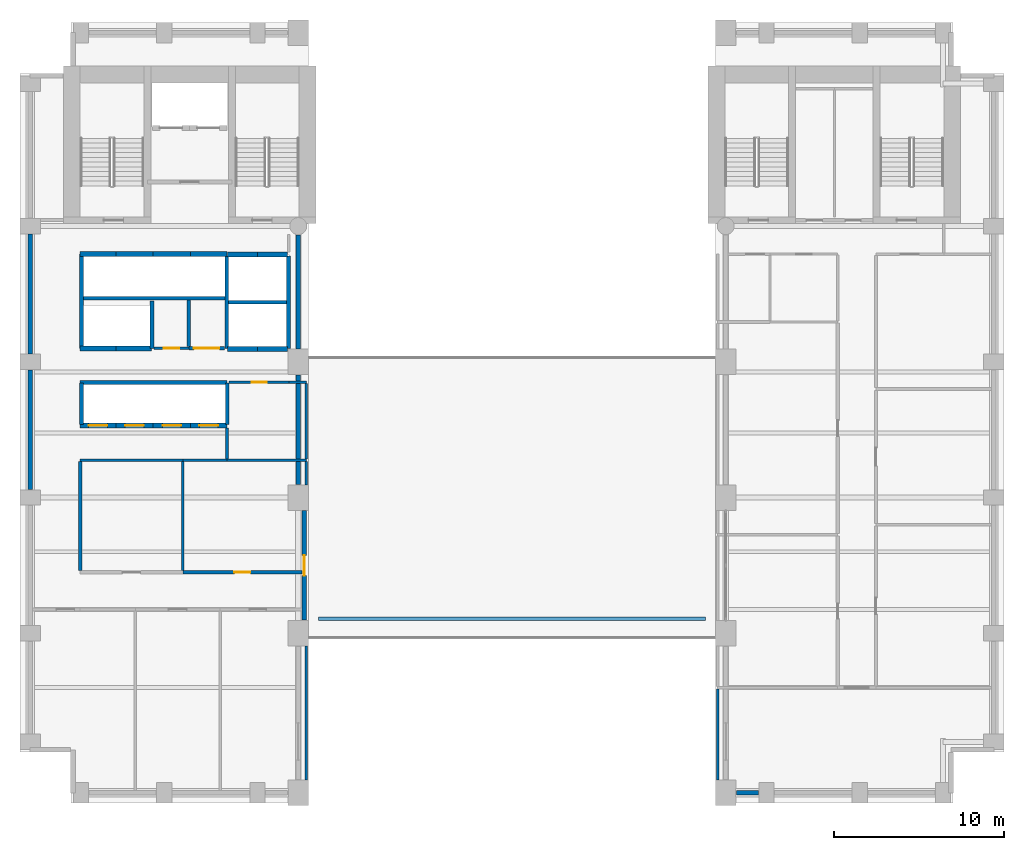
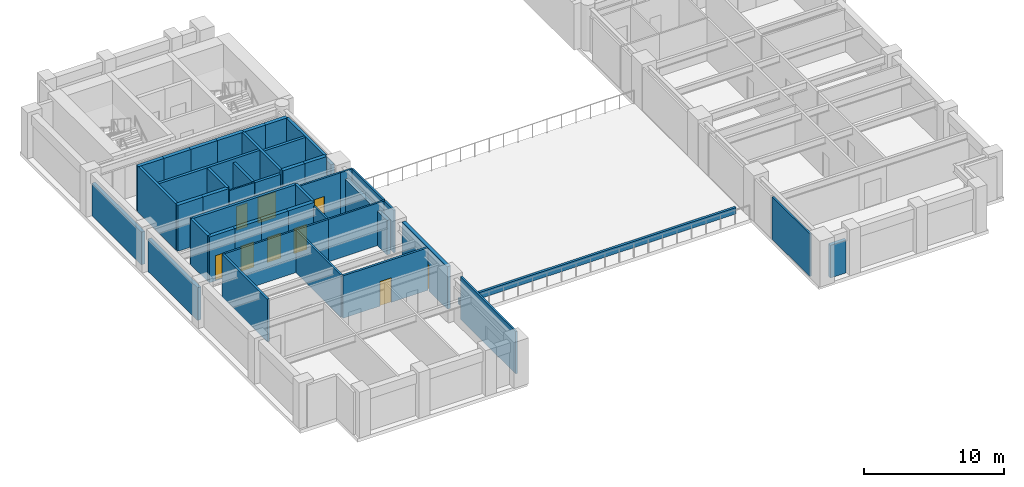
# One storey, part 4 of 10: 46 walls, 9 doors, 9 openings.
"""IFC4 building model written with IfcOpenShell, lengths in metres."""

from ifc_helpers import new_model, si_unit, direction, frame, frame_2d, origin, place, context, subcontext, project, spatial, rectangle, extrude, material, layer, layer_set, type_object, element, fill, save


model = new_model("IFC4")

# Units and contexts
model_context = context("Model", 3, precision=1e-05, world=origin(), true_north=direction((0.0, 1.0)))
body_context = subcontext(model_context, "Body", "Model", "MODEL_VIEW")
ifc_project = project(units=[si_unit("LENGTHUNIT", "METRE"), si_unit("AREAUNIT", "SQUARE_METRE"), si_unit("VOLUMEUNIT", "CUBIC_METRE"), si_unit("PLANEANGLEUNIT", "RADIAN"), si_unit("MASSUNIT", "GRAM", prefix="KILO")], contexts=[model_context])

# Site, building, storey
site_placement = place(None, origin())
site = spatial("IfcSite", under=ifc_project, at=site_placement, CompositionType="ELEMENT")
building_placement = place(site_placement, origin())
building = spatial("IfcBuilding", under=site, at=building_placement, Name="Sulina Concourse Tower", CompositionType="ELEMENT")
storey_placement = place(building_placement, frame((0.0, 0.0, 30.60009765625)))
storey = spatial("IfcBuildingStorey", under=building, at=storey_placement, Name="L07", CompositionType="ELEMENT", Elevation=30.60009765625)

# Walls
ifc_material_1 = material(Name="Concrete C50/60", Category="concrete")
ifc_layer_1 = layer(ifc_material_1, 0.219970703125)
ifc_layer_set_1 = layer_set([ifc_layer_1], Name="Concrete C50/60")
wall_type_1 = type_object("IfcWallType", Name="Core Lift Hoistway Divider Wall 220mm", PredefinedType="SOLIDWALL", material=ifc_layer_set_1)
wall_1_placement = place(storey_placement, frame((3.550048828125, 29.75, 0.0), z_axis=(0.0, 0.0, 1.0), x_axis=(1.0, 0.0, 0.0)))
element("IfcWall", 1, at=wall_1_placement, inside=storey, type_object=wall_type_1, Name="L07 shaft divider wall HW-LP3-S", PredefinedType="SOLIDWALL", context=body_context, shape_type="SweptSolid", body=[
    extrude(rectangle(XDim=8.64990234375, YDim=0.219970703125, at=frame_2d((4.324951171875, 0.0))), origin(), (0.0, 0.0, 1.0), 4.0),
])
wall_2_placement = place(storey_placement, frame((3.6298828125, 26.800048828125, 0.0), z_axis=(0.0, 0.0, 1.0), x_axis=(0.0, 1.0, 0.0)))
element("IfcWall", 2, at=wall_2_placement, inside=storey, type_object=wall_type_1, Name="L07 shaft divider wall HW-LP3-W", PredefinedType="SOLIDWALL", context=body_context, shape_type="SweptSolid", body=[
    extrude(rectangle(XDim=5.550048828125, YDim=0.219970703125, at=frame_2d((2.77490234375, 0.0))), origin(), (0.0, 0.0, 1.0), 4.0),
])
wall_3_placement = place(storey_placement, frame((7.780029296875, 26.800048828125, 0.0), z_axis=(0.0, 0.0, 1.0), x_axis=(0.0, 1.0, 0.0)))
element("IfcWall", 3, at=wall_3_placement, inside=storey, type_object=wall_type_1, Name="L07 shaft divider wall HW-EXP-E", PredefinedType="SOLIDWALL", context=body_context, shape_type="SweptSolid", body=[
    extrude(rectangle(XDim=2.800048828125, YDim=0.219970703125, at=frame_2d((1.39990234375, 0.0))), origin(), (0.0, 0.0, 1.0), 4.0),
])
for number, where, z_axis, x_axis, name in (
    (4, (12.179931640625, 26.800048828125, 0.0), (0.0, 0.0, 1.0), (0.0, 1.0, 0.0), "L07 shaft divider wall HW-LP2-W"),
    (5, (15.820068359375, 26.800048828125, 0.0), (0.0, 0.0, 1.0), (0.0, 1.0, 0.0), "L07 shaft divider wall HW-LP2-E"),
):
    element("IfcWall", number, at=place(storey_placement, frame(where, z_axis=z_axis, x_axis=x_axis)), inside=storey, type_object=wall_type_1, Name=name, PredefinedType="SOLIDWALL", context=body_context, shape_type="SweptSolid", body=[
        extrude(rectangle(XDim=5.449951171875, YDim=0.219970703125, at=frame_2d((2.72509765625, 0.0))), origin(), (0.0, 0.0, 1.0), 4.0),
    ])
wall_4_placement = place(storey_placement, frame((12.300048828125, 29.52001953125, 0.0), z_axis=(0.0, 0.0, 1.0), x_axis=(1.0, 0.0, 0.0)))
element("IfcWall", 6, at=wall_4_placement, inside=storey, type_object=wall_type_1, Name="L07 shaft divider wall HW-LP2-M", PredefinedType="SOLIDWALL", context=body_context, shape_type="SweptSolid", body=[
    extrude(rectangle(XDim=3.39990234375, YDim=0.219970703125, at=frame_2d((1.699951171875, 0.0))), origin(), (0.0, 0.0, 1.0), 4.0),
])
wall_5_placement = place(storey_placement, frame((3.550048828125, 24.780029296875, 0.0), z_axis=(0.0, 0.0, 1.0), x_axis=(1.0, 0.0, 0.0)))
element("IfcWall", 7, at=wall_5_placement, inside=storey, type_object=wall_type_1, Name="L07 shaft divider wall HW-LP1-N", PredefinedType="SOLIDWALL", context=body_context, shape_type="SweptSolid", body=[
    extrude(rectangle(XDim=8.64990234375, YDim=0.219970703125, at=frame_2d((4.324951171875, 0.0))), origin(), (0.0, 0.0, 1.0), 4.0),
])
for number, where, z_axis, x_axis, name in (
    (8, (3.6298828125, 22.300048828125, 0.0), (0.0, 0.0, 1.0), (0.0, 1.0, 0.0), "L07 shaft divider wall HW-LP1-W"),
    (9, (12.219970703125, 22.300048828125, 0.0), (0.0, 0.0, 1.0), (0.0, 1.0, 0.0), "L07 shaft divider wall HW-LP1-E"),
):
    element("IfcWall", number, at=place(storey_placement, frame(where, z_axis=z_axis, x_axis=x_axis)), inside=storey, type_object=wall_type_1, Name=name, PredefinedType="SOLIDWALL", context=body_context, shape_type="SweptSolid", body=[
        extrude(rectangle(XDim=2.449951171875, YDim=0.219970703125, at=frame_2d((1.22509765625, 0.0))), origin(), (0.0, 0.0, 1.0), 4.0),
    ])

# Wall, opening, door
ifc_material_2 = material(Name="Concrete C50/60", Category="concrete")
ifc_layer_2 = layer(ifc_material_2, 0.300048828125)
ifc_layer_set_2 = layer_set([ifc_layer_2], Name="Concrete C50/60")
wall_type_2 = type_object("IfcWallType", Name="Core Lift Hoistway Wall 300mm", PredefinedType="SOLIDWALL", material=ifc_layer_set_2)
wall_6_placement = place(storey_placement, frame((5.64990234375, 22.25, 0.0), z_axis=(0.0, 0.0, 1.0), x_axis=(-1.0, 0.0, 0.0)))
wall_6 = element("IfcWall", 10, at=wall_6_placement, inside=storey, type_object=wall_type_2, Name="L07 hoistway enclosure wall LP-01", PredefinedType="SOLIDWALL", context=body_context, shape_type="SweptSolid", body=[
    extrude(rectangle(XDim=2.099853515625, YDim=0.300048828125, at=frame_2d((1.0498046875, 0.0))), origin(), (0.0, 0.0, 1.0), 4.0),
])
opening_1_placement = place(wall_6_placement, frame((0.5, 0.0, 0.0)))
opening_1 = element("IfcOpeningElement", 11, at=opening_1_placement, cuts=wall_6, Name="Opening LD-01", PredefinedType="OPENING", context=body_context, shape_type="SweptSolid", body=[
    extrude(rectangle(XDim=1.10009765625, YDim=2.199951171875, at=frame_2d((0.550048828125, 1.10009765625))), frame((0.0, 0.159912109375, 0.0), z_axis=(0.0, -1.0, 0.0), x_axis=(1.0, 0.0, 0.0)), (0.0, 0.0, 1.0), 0.320068359375),
])
ifc_material_3 = material(Name="Stainless steel lift landing door", Category="steel")
ifc_layer_3 = layer(ifc_material_3, 0.050048828125)
ifc_layer_set_3 = layer_set([ifc_layer_3], Name="Stainless steel lift landing door")
door_type_1 = type_object("IfcDoorType", Name="Passenger Lift Sliding Landing Door 1100x2200", OperationType="SLIDING_TO_LEFT", PredefinedType="DOOR", material=ifc_layer_set_3)
door_1_placement = place(opening_1_placement, origin())
door_1 = element("IfcDoor", 12, at=door_1_placement, inside=storey, type_object=door_type_1, Name="L07 lift landing sliding door LP-01", OperationType="SLIDING_TO_LEFT", OverallHeight=2.199951171875, OverallWidth=1.10009765625, PredefinedType="DOOR", context=body_context, shape_type="SweptSolid", body=[
    extrude(rectangle(XDim=1.10009765625, YDim=2.199951171875, at=frame_2d((0.550048828125, 1.10009765625))), frame((0.0, 0.02490234375, 0.0), z_axis=(0.0, -1.0, 0.0), x_axis=(1.0, 0.0, 0.0)), (0.0, 0.0, 1.0), 0.050048828125),
])
fill(opening_1, door_1)

wall_7_placement = place(storey_placement, frame((7.85009765625, 22.25, 0.0), z_axis=(0.0, 0.0, 1.0), x_axis=(-1.0, 0.0, 0.0)))
wall_7 = element("IfcWall", 13, at=wall_7_placement, inside=storey, type_object=wall_type_2, Name="L07 hoistway enclosure wall LP-02", PredefinedType="SOLIDWALL", context=body_context, shape_type="SweptSolid", body=[
    extrude(rectangle(XDim=2.2001953125, YDim=0.300048828125, at=frame_2d((1.10009765625, 0.0))), origin(), (0.0, 0.0, 1.0), 4.0),
])
opening_2_placement = place(wall_7_placement, frame((0.550048828125, 0.0, 0.0)))
opening_2 = element("IfcOpeningElement", 14, at=opening_2_placement, cuts=wall_7, Name="Opening LD-01", PredefinedType="OPENING", context=body_context, shape_type="SweptSolid", body=[
    extrude(rectangle(XDim=1.10009765625, YDim=2.199951171875, at=frame_2d((0.550048828125, 1.10009765625))), frame((0.0, 0.159912109375, 0.0), z_axis=(0.0, -1.0, 0.0), x_axis=(1.0, 0.0, 0.0)), (0.0, 0.0, 1.0), 0.320068359375),
])
door_2_placement = place(opening_2_placement, origin())
door_2 = element("IfcDoor", 15, at=door_2_placement, inside=storey, type_object=door_type_1, Name="L07 lift landing sliding door LP-02", OperationType="SLIDING_TO_RIGHT", OverallHeight=2.199951171875, OverallWidth=1.10009765625, PredefinedType="DOOR", context=body_context, shape_type="SweptSolid", body=[
    extrude(rectangle(XDim=1.10009765625, YDim=2.199951171875, at=frame_2d((0.550048828125, 1.10009765625))), frame((0.0, 0.02490234375, 0.0), z_axis=(0.0, -1.0, 0.0), x_axis=(1.0, 0.0, 0.0)), (0.0, 0.0, 1.0), 0.050048828125),
])
fill(opening_2, door_2)

wall_8_placement = place(storey_placement, frame((10.050048828125, 22.25, 0.0), z_axis=(0.0, 0.0, 1.0), x_axis=(-1.0, 0.0, 0.0)))
wall_8 = element("IfcWall", 16, at=wall_8_placement, inside=storey, type_object=wall_type_2, Name="L07 hoistway enclosure wall LP-03", PredefinedType="SOLIDWALL", context=body_context, shape_type="SweptSolid", body=[
    extrude(rectangle(XDim=2.199951171875, YDim=0.300048828125, at=frame_2d((1.10009765625, 0.0))), origin(), (0.0, 0.0, 1.0), 4.0),
])
opening_3_placement = place(wall_8_placement, frame((0.550048828125, 0.0, 0.0)))
opening_3 = element("IfcOpeningElement", 17, at=opening_3_placement, cuts=wall_8, Name="Opening LD-01", PredefinedType="OPENING", context=body_context, shape_type="SweptSolid", body=[
    extrude(rectangle(XDim=1.10009765625, YDim=2.199951171875, at=frame_2d((0.550048828125, 1.10009765625))), frame((0.0, 0.159912109375, 0.0), z_axis=(0.0, -1.0, 0.0), x_axis=(1.0, 0.0, 0.0)), (0.0, 0.0, 1.0), 0.320068359375),
])
door_3_placement = place(opening_3_placement, origin())
door_3 = element("IfcDoor", 18, at=door_3_placement, inside=storey, type_object=door_type_1, Name="L07 lift landing sliding door LP-03", OperationType="SLIDING_TO_LEFT", OverallHeight=2.199951171875, OverallWidth=1.10009765625, PredefinedType="DOOR", context=body_context, shape_type="SweptSolid", body=[
    extrude(rectangle(XDim=1.10009765625, YDim=2.199951171875, at=frame_2d((0.550048828125, 1.10009765625))), frame((0.0, 0.02490234375, 0.0), z_axis=(0.0, -1.0, 0.0), x_axis=(1.0, 0.0, 0.0)), (0.0, 0.0, 1.0), 0.050048828125),
])
fill(opening_3, door_3)

wall_9_placement = place(storey_placement, frame((12.199951171875, 22.25, 0.0), z_axis=(0.0, 0.0, 1.0), x_axis=(-1.0, 0.0, 0.0)))
wall_9 = element("IfcWall", 19, at=wall_9_placement, inside=storey, type_object=wall_type_2, Name="L07 hoistway enclosure wall LP-04", PredefinedType="SOLIDWALL", context=body_context, shape_type="SweptSolid", body=[
    extrude(rectangle(XDim=2.14990234375, YDim=0.300048828125, at=frame_2d((1.074951171875, 0.0))), origin(), (0.0, 0.0, 1.0), 4.0),
])
opening_4_placement = place(wall_9_placement, frame((0.52490234375, 0.0, 0.0)))
opening_4 = element("IfcOpeningElement", 20, at=opening_4_placement, cuts=wall_9, Name="Opening LD-01", PredefinedType="OPENING", context=body_context, shape_type="SweptSolid", body=[
    extrude(rectangle(XDim=1.10009765625, YDim=2.199951171875, at=frame_2d((0.550048828125, 1.10009765625))), frame((0.0, 0.159912109375, 0.0), z_axis=(0.0, -1.0, 0.0), x_axis=(1.0, 0.0, 0.0)), (0.0, 0.0, 1.0), 0.320068359375),
])
door_4_placement = place(opening_4_placement, origin())
door_4 = element("IfcDoor", 21, at=door_4_placement, inside=storey, type_object=door_type_1, Name="L07 lift landing sliding door LP-04", OperationType="SLIDING_TO_RIGHT", OverallHeight=2.199951171875, OverallWidth=1.10009765625, PredefinedType="DOOR", context=body_context, shape_type="SweptSolid", body=[
    extrude(rectangle(XDim=1.10009765625, YDim=2.199951171875, at=frame_2d((0.550048828125, 1.10009765625))), frame((0.0, 0.02490234375, 0.0), z_axis=(0.0, -1.0, 0.0), x_axis=(1.0, 0.0, 0.0)), (0.0, 0.0, 1.0), 0.050048828125),
])
fill(opening_4, door_4)

# Walls
for number, where, z_axis, x_axis, name in (
    (22, (14.0, 26.75, 0.0), (0.0, 0.0, 1.0), (-1.0, 0.0, 0.0), "L07 hoistway enclosure wall LP-05"),
    (23, (15.780029296875, 26.75, 0.0), (0.0, 0.0, 1.0), (-1.0, 0.0, 0.0), "L07 hoistway enclosure wall LP-06"),
    (24, (12.219970703125, 32.320068359375, 0.0), (0.0, 0.0, 1.0), (1.0, 0.0, 0.0), "L07 hoistway enclosure wall LP-07"),
    (25, (14.0, 32.320068359375, 0.0), (0.0, 0.0, 1.0), (1.0, 0.0, 0.0), "L07 hoistway enclosure wall LP-08"),
):
    element("IfcWall", number, at=place(storey_placement, frame(where, z_axis=z_axis, x_axis=x_axis)), inside=storey, type_object=wall_type_2, Name=name, PredefinedType="SOLIDWALL", context=body_context, shape_type="SweptSolid", body=[
        extrude(rectangle(XDim=1.780029296875, YDim=0.300048828125, at=frame_2d((0.89013671875, 0.0))), origin(), (0.0, 0.0, 1.0), 4.0),
    ])
wall_10_placement = place(storey_placement, frame((3.550048828125, 32.35009765625, 0.0), z_axis=(0.0, 0.0, 1.0), x_axis=(1.0, 0.0, 0.0)))
element("IfcWall", 26, at=wall_10_placement, inside=storey, type_object=wall_type_2, Name="L07 hoistway enclosure wall LP-09", PredefinedType="SOLIDWALL", context=body_context, shape_type="SweptSolid", body=[
    extrude(rectangle(XDim=2.099853515625, YDim=0.300048828125, at=frame_2d((1.0498046875, 0.0))), origin(), (0.0, 0.0, 1.0), 4.0),
])
wall_11_placement = place(storey_placement, frame((5.64990234375, 32.35009765625, 0.0), z_axis=(0.0, 0.0, 1.0), x_axis=(1.0, 0.0, 0.0)))
element("IfcWall", 27, at=wall_11_placement, inside=storey, type_object=wall_type_2, Name="L07 hoistway enclosure wall LP-10", PredefinedType="SOLIDWALL", context=body_context, shape_type="SweptSolid", body=[
    extrude(rectangle(XDim=2.2001953125, YDim=0.300048828125, at=frame_2d((1.10009765625, 0.0))), origin(), (0.0, 0.0, 1.0), 4.0),
])
wall_12_placement = place(storey_placement, frame((7.85009765625, 32.35009765625, 0.0), z_axis=(0.0, 0.0, 1.0), x_axis=(1.0, 0.0, 0.0)))
element("IfcWall", 28, at=wall_12_placement, inside=storey, type_object=wall_type_2, Name="L07 hoistway enclosure wall LP-11", PredefinedType="SOLIDWALL", context=body_context, shape_type="SweptSolid", body=[
    extrude(rectangle(XDim=2.199951171875, YDim=0.300048828125, at=frame_2d((1.10009765625, 0.0))), origin(), (0.0, 0.0, 1.0), 4.0),
])
wall_13_placement = place(storey_placement, frame((10.050048828125, 32.35009765625, 0.0), z_axis=(0.0, 0.0, 1.0), x_axis=(1.0, 0.0, 0.0)))
element("IfcWall", 29, at=wall_13_placement, inside=storey, type_object=wall_type_2, Name="L07 hoistway enclosure wall LP-12", PredefinedType="SOLIDWALL", context=body_context, shape_type="SweptSolid", body=[
    extrude(rectangle(XDim=2.14990234375, YDim=0.300048828125, at=frame_2d((1.074951171875, 0.0))), origin(), (0.0, 0.0, 1.0), 4.0),
])
wall_14_placement = place(storey_placement, frame((5.64990234375, 26.780029296875, 0.0), z_axis=(0.0, 0.0, 1.0), x_axis=(-1.0, 0.0, 0.0)))
element("IfcWall", 30, at=wall_14_placement, inside=storey, type_object=wall_type_2, Name="L07 hoistway enclosure wall EXP-1", PredefinedType="SOLIDWALL", context=body_context, shape_type="SweptSolid", body=[
    extrude(rectangle(XDim=2.099853515625, YDim=0.300048828125, at=frame_2d((1.0498046875, 0.0))), origin(), (0.0, 0.0, 1.0), 4.0),
])
wall_15_placement = place(storey_placement, frame((7.75, 26.780029296875, 0.0), z_axis=(0.0, 0.0, 1.0), x_axis=(-1.0, 0.0, 0.0)))
element("IfcWall", 31, at=wall_15_placement, inside=storey, type_object=wall_type_2, Name="L07 hoistway enclosure wall EXP-2", PredefinedType="SOLIDWALL", context=body_context, shape_type="SweptSolid", body=[
    extrude(rectangle(XDim=2.10009765625, YDim=0.300048828125, at=frame_2d((1.050048828125, 0.0))), origin(), (0.0, 0.0, 1.0), 4.0),
])

# Wall, opening, door
ifc_material_4 = material(Name="Gypsum board on steel stud", Category="steel")
ifc_layer_4 = layer(ifc_material_4, 0.219970703125)
ifc_layer_set_4 = layer_set([ifc_layer_4], Name="Gypsum board on steel stud")
wall_type_3 = type_object("IfcWallType", Name="Fire-Rated Lobby & Compartment Wall 220mm", PredefinedType="PARTITIONING", material=ifc_layer_set_4)
wall_16_placement = place(storey_placement, frame((9.949951171875, 26.800048828125, 0.0), z_axis=(0.0, 0.0, 1.0), x_axis=(1.0, 0.0, 0.0)))
wall_16 = element("IfcWall", 32, at=wall_16_placement, inside=storey, type_object=wall_type_3, Name="L07 interior partition 019", PredefinedType="PARTITIONING", context=body_context, shape_type="SweptSolid", body=[
    extrude(rectangle(XDim=2.10009765625, YDim=0.219970703125, at=frame_2d((1.050048828125, 0.0))), origin(), (0.0, 0.0, 1.0), 3.699951171875),
])
opening_5_placement = place(wall_16_placement, frame((0.300048828125, 0.0, 0.0)))
opening_5 = element("IfcOpeningElement", 33, at=opening_5_placement, cuts=wall_16, Name="Opening DR-80", PredefinedType="OPENING", context=body_context, shape_type="SweptSolid", body=[
    extrude(rectangle(XDim=1.5, YDim=2.25, at=frame_2d((0.75, 1.125))), frame((0.0, 0.119873046875, 0.0), z_axis=(0.0, -1.0, 0.0), x_axis=(1.0, 0.0, 0.0)), (0.0, 0.0, 1.0), 0.239990234375),
])
ifc_material_5 = material(Name="Galvanised steel acoustic fire leaf", Category="steel")
ifc_layer_5 = layer(ifc_material_5, 0.054931640625)
ifc_layer_set_5 = layer_set([ifc_layer_5], Name="Galvanised steel acoustic fire leaf")
door_type_2 = type_object("IfcDoorType", Name="Mechanical Plant Double Fire Door 1500x2250", OperationType="DOUBLE_DOOR_SINGLE_SWING", PredefinedType="DOOR", material=ifc_layer_set_5)
door_5_placement = place(opening_5_placement, origin())
door_5 = element("IfcDoor", 34, at=door_5_placement, inside=storey, type_object=door_type_2, Name="L07 interior door L07-IT-IDF", OperationType="DOUBLE_DOOR_SINGLE_SWING", OverallHeight=2.25, OverallWidth=1.5, PredefinedType="DOOR", context=body_context, shape_type="SweptSolid", body=[
    extrude(rectangle(XDim=1.5, YDim=2.25, at=frame_2d((0.75, 1.125))), frame((0.0, 0.02490234375, 0.0), z_axis=(0.0, -1.0, 0.0), x_axis=(1.0, 0.0, 0.0)), (0.0, 0.0, 1.0), 0.050048828125),
])
fill(opening_5, door_5)

# Walls
wall_17_placement = place(storey_placement, frame((9.949951171875, 26.909912109375, 0.0), z_axis=(0.0, 0.0, 1.0), x_axis=(0.0, 1.0, 0.0)))
element("IfcWall", 35, at=wall_17_placement, inside=storey, type_object=wall_type_3, Name="L07 interior partition 032", PredefinedType="PARTITIONING", context=body_context, shape_type="SweptSolid", body=[
    extrude(rectangle(XDim=2.72998046875, YDim=0.219970703125, at=frame_2d((1.364990234375, 0.0))), origin(), (0.0, 0.0, 1.0), 3.699951171875),
])
ifc_material_6 = material(Name="Gypsum board on steel stud", Category="steel")
ifc_layer_6 = layer(ifc_material_6, 0.14990234375)
ifc_layer_set_6 = layer_set([ifc_layer_6], Name="Gypsum board on steel stud")
wall_type_4 = type_object("IfcWallType", Name="Inter-Tenancy Acoustic Partition 150mm", PredefinedType="PARTITIONING", material=ifc_layer_set_6)
wall_18_placement = place(storey_placement, frame((3.550048828125, 20.199951171875, 0.0), z_axis=(0.0, 0.0, 1.0), x_axis=(1.0, 0.0, 0.0)))
element("IfcWall", 36, at=wall_18_placement, inside=storey, type_object=wall_type_4, Name="L07 interior partition 012", PredefinedType="PARTITIONING", context=body_context, shape_type="SweptSolid", body=[
    extrude(rectangle(XDim=6.050048828125, YDim=0.14990234375, at=frame_2d((3.02490234375, 0.0))), origin(), (0.0, 0.0, 1.0), 3.699951171875),
])
wall_19_placement = place(storey_placement, frame((9.60009765625, 20.199951171875, 0.0), z_axis=(0.0, 0.0, 1.0), x_axis=(1.0, 0.0, 0.0)))
element("IfcWall", 37, at=wall_19_placement, inside=storey, type_object=wall_type_4, Name="L07 interior partition 013", PredefinedType="PARTITIONING", context=body_context, shape_type="SweptSolid", body=[
    extrude(rectangle(XDim=2.599853515625, YDim=0.14990234375, at=frame_2d((1.2998046875, 0.0))), origin(), (0.0, 0.0, 1.0), 3.699951171875),
])
wall_20_placement = place(storey_placement, frame((12.199951171875, 20.199951171875, 0.0), z_axis=(0.0, 0.0, 1.0), x_axis=(1.0, 0.0, 0.0)))
element("IfcWall", 38, at=wall_20_placement, inside=storey, type_object=wall_type_4, Name="L07 interior partition 014", PredefinedType="PARTITIONING", context=body_context, shape_type="SweptSolid", body=[
    extrude(rectangle(XDim=4.679931640625, YDim=0.14990234375, at=frame_2d((2.33984375, 0.0))), origin(), (0.0, 0.0, 1.0), 3.699951171875),
])

# Wall, opening, door
wall_21_placement = place(storey_placement, frame((12.330078125, 24.800048828125, 0.0), z_axis=(0.0, 0.0, 1.0), x_axis=(1.0, 0.0, 0.0)))
wall_21 = element("IfcWall", 39, at=wall_21_placement, inside=storey, type_object=wall_type_4, Name="L07 interior partition 016", PredefinedType="PARTITIONING", context=body_context, shape_type="SweptSolid", body=[
    extrude(rectangle(XDim=3.52001953125, YDim=0.14990234375, at=frame_2d((1.760009765625, 0.0))), origin(), (0.0, 0.0, 1.0), 3.699951171875),
])
opening_6_placement = place(wall_21_placement, frame((1.320068359375, 0.0, 0.0)))
opening_6 = element("IfcOpeningElement", 40, at=opening_6_placement, cuts=wall_21, Name="Opening DR-38", PredefinedType="OPENING", context=body_context, shape_type="SweptSolid", body=[
    extrude(rectangle(XDim=0.8798828125, YDim=2.10009765625, at=frame_2d((0.43994140625, 1.050048828125))), frame((0.0, 0.0849609375, 0.0), z_axis=(0.0, -1.0, 0.0), x_axis=(1.0, 0.0, 0.0)), (0.0, 0.0, 1.0), 0.169921875),
])
ifc_material_7 = material(Name="Galvanised steel acoustic fire leaf", Category="steel")
ifc_layer_7 = layer(ifc_material_7, 0.050048828125)
ifc_layer_set_7 = layer_set([ifc_layer_7], Name="Galvanised steel acoustic fire leaf")
door_type_3 = type_object("IfcDoorType", Name="Service Riser Fire Door 880x2100", OperationType="NOTDEFINED", PredefinedType="DOOR", material=ifc_layer_set_7)
door_6_placement = place(opening_6_placement, origin())
door_6 = element("IfcDoor", 41, at=door_6_placement, inside=storey, type_object=door_type_3, Name="L07 interior door L07-STR-WL", OperationType="SINGLE_SWING_LEFT", OverallHeight=2.10009765625, OverallWidth=0.8798828125, PredefinedType="DOOR", context=body_context, shape_type="SweptSolid", body=[
    extrude(rectangle(XDim=0.8798828125, YDim=2.10009765625, at=frame_2d((0.43994140625, 1.050048828125))), frame((0.0, 0.02490234375, 0.0), z_axis=(0.0, -1.0, 0.0), x_axis=(1.0, 0.0, 0.0)), (0.0, 0.0, 1.0), 0.050048828125),
])
fill(opening_6, door_6)

# Walls
wall_22_placement = place(storey_placement, frame((15.85009765625, 24.800048828125, 0.0), z_axis=(0.0, 0.0, 1.0), x_axis=(1.0, 0.0, 0.0)))
element("IfcWall", 42, at=wall_22_placement, inside=storey, type_object=wall_type_4, Name="L07 interior partition 017", PredefinedType="PARTITIONING", context=body_context, shape_type="SweptSolid", body=[
    extrude(rectangle(XDim=1.02978515625, YDim=0.14990234375, at=frame_2d((0.514892578125, 0.0))), origin(), (0.0, 0.0, 1.0), 3.699951171875),
])
wall_23_placement = place(storey_placement, frame((9.60009765625, 13.68994140625, 0.0), z_axis=(0.0, 0.0, 1.0), x_axis=(0.0, 1.0, 0.0)))
element("IfcWall", 43, at=wall_23_placement, inside=storey, type_object=wall_type_4, Name="L07 interior partition 031", PredefinedType="PARTITIONING", context=body_context, shape_type="SweptSolid", body=[
    extrude(rectangle(XDim=6.43505859375, YDim=0.14990234375, at=frame_2d((3.217529296875, 0.0))), origin(), (0.0, 0.0, 1.0), 3.699951171875),
])
wall_24_placement = place(storey_placement, frame((12.199951171875, 20.27490234375, 0.0), z_axis=(0.0, 0.0, 1.0), x_axis=(0.0, 1.0, 0.0)))
element("IfcWall", 44, at=wall_24_placement, inside=storey, type_object=wall_type_4, Name="L07 interior partition 034", PredefinedType="PARTITIONING", context=body_context, shape_type="SweptSolid", body=[
    extrude(rectangle(XDim=1.8251953125, YDim=0.14990234375, at=frame_2d((0.91259765625, 0.0))), origin(), (0.0, 0.0, 1.0), 3.699951171875),
])
wall_25_placement = place(storey_placement, frame((16.8798828125, 1.35009765625, 0.0), z_axis=(0.0, 0.0, 1.0), x_axis=(0.0, 1.0, 0.0)))
element("IfcWall", 45, at=wall_25_placement, inside=storey, type_object=wall_type_4, Name="L07 interior partition 036", PredefinedType="PARTITIONING", context=body_context, shape_type="SweptSolid", body=[
    extrude(rectangle(XDim=7.89990234375, YDim=0.14990234375, at=frame_2d((3.949951171875, 0.0))), origin(), (0.0, 0.0, 1.0), 3.699951171875),
])
wall_26_placement = place(storey_placement, frame((16.8798828125, 18.75, 0.0), z_axis=(0.0, 0.0, 1.0), x_axis=(0.0, 1.0, 0.0)))
element("IfcWall", 46, at=wall_26_placement, inside=storey, type_object=wall_type_4, Name="L07 interior partition 037", PredefinedType="PARTITIONING", context=body_context, shape_type="SweptSolid", body=[
    extrude(rectangle(XDim=1.375, YDim=0.14990234375, at=frame_2d((0.6875, 0.0))), origin(), (0.0, 0.0, 1.0), 3.699951171875),
])
wall_27_placement = place(storey_placement, frame((16.8798828125, 20.27490234375, 0.0), z_axis=(0.0, 0.0, 1.0), x_axis=(0.0, 1.0, 0.0)))
element("IfcWall", 47, at=wall_27_placement, inside=storey, type_object=wall_type_4, Name="L07 interior partition 038", PredefinedType="PARTITIONING", context=body_context, shape_type="SweptSolid", body=[
    extrude(rectangle(XDim=4.4501953125, YDim=0.14990234375, at=frame_2d((2.22509765625, 0.0))), origin(), (0.0, 0.0, 1.0), 3.699951171875),
])
wall_28_placement = place(storey_placement, frame((41.1201171875, 1.35009765625, 0.0), z_axis=(0.0, 0.0, 1.0), x_axis=(0.0, 1.0, 0.0)))
element("IfcWall", 48, at=wall_28_placement, inside=storey, type_object=wall_type_4, Name="L07 interior partition 039", PredefinedType="PARTITIONING", context=body_context, shape_type="SweptSolid", body=[
    extrude(rectangle(XDim=5.375, YDim=0.14990234375, at=frame_2d((2.6875, 0.0))), origin(), (0.0, 0.0, 1.0), 3.699951171875),
])
ifc_material_8 = material(Name="Precast concrete C50/60", Category="concrete")
ifc_layer_8 = layer(ifc_material_8, 0.199951171875)
ifc_layer_set_8 = layer_set([ifc_layer_8], Name="Precast concrete C50/60")
wall_type_5 = type_object("IfcWallType", Name="Landscaped Terrace Planter Wall 200mm", PredefinedType="USERDEFINED", material=ifc_layer_set_8)
wall_29_placement = place(storey_placement, frame((17.60009765625, 10.85009765625, 0.0), z_axis=(0.0, 0.0, 1.0), x_axis=(1.0, 0.0, 0.0)))
element("IfcWall", 49, at=wall_29_placement, inside=storey, type_object=wall_type_5, Name="L07 landscaped terrace planter wall TER-LP2", ObjectType="PLANTER", PredefinedType="USERDEFINED", context=body_context, shape_type="SweptSolid", body=[
    extrude(rectangle(XDim=22.7998046875, YDim=0.199951171875, at=frame_2d((11.39990234375, 0.0))), origin(), (0.0, 0.0, 1.0), 0.5498046875),
])

# Wall, opening, door
ifc_material_9 = material(Name="Gypsum board on steel stud", Category="steel")
ifc_layer_9 = layer(ifc_material_9, 0.179931640625)
ifc_layer_set_9 = layer_set([ifc_layer_9], Name="Gypsum board on steel stud")
wall_type_6 = type_object("IfcWallType", Name="Protected Corridor & Riser Partition 180mm", PredefinedType="PARTITIONING", material=ifc_layer_set_9)
wall_30_placement = place(storey_placement, frame((9.60009765625, 13.60009765625, 0.0), z_axis=(0.0, 0.0, 1.0), x_axis=(1.0, 0.0, 0.0)))
wall_30 = element("IfcWall", 50, at=wall_30_placement, inside=storey, type_object=wall_type_6, Name="L07 interior partition 009", PredefinedType="PARTITIONING", context=body_context, shape_type="SweptSolid", body=[
    extrude(rectangle(XDim=7.010009765625, YDim=0.179931640625, at=frame_2d((3.5048828125, 0.0))), origin(), (0.0, 0.0, 1.0), 3.699951171875),
])
opening_7_placement = place(wall_30_placement, frame((3.030029296875, 0.0, 0.0)))
opening_7 = element("IfcOpeningElement", 51, at=opening_7_placement, cuts=wall_30, Name="Opening DR-19", PredefinedType="OPENING", context=body_context, shape_type="SweptSolid", body=[
    extrude(rectangle(XDim=0.949951171875, YDim=2.14990234375, at=frame_2d((0.47509765625, 1.074951171875))), frame((0.0, 0.099853515625, 0.0), z_axis=(0.0, -1.0, 0.0), x_axis=(1.0, 0.0, 0.0)), (0.0, 0.0, 1.0), 0.199951171875),
])
ifc_material_10 = material(Name="Oak-veneered acoustic timber leaf", Category="wood")
ifc_layer_10 = layer(ifc_material_10, 0.050048828125)
ifc_layer_set_10 = layer_set([ifc_layer_10], Name="Oak-veneered acoustic timber leaf")
door_type_4 = type_object("IfcDoorType", Name="Cellular Office & Meeting Door 950x2150", OperationType="NOTDEFINED", PredefinedType="DOOR", material=ifc_layer_set_10)
door_7_placement = place(opening_7_placement, origin())
door_7 = element("IfcDoor", 52, at=door_7_placement, inside=storey, type_object=door_type_4, Name="L07 interior door L07-OFF-W2", OperationType="SINGLE_SWING_RIGHT", OverallHeight=2.14990234375, OverallWidth=0.949951171875, PredefinedType="DOOR", context=body_context, shape_type="SweptSolid", body=[
    extrude(rectangle(XDim=0.949951171875, YDim=2.14990234375, at=frame_2d((0.47509765625, 1.074951171875))), frame((0.0, 0.02490234375, 0.0), z_axis=(0.0, -1.0, 0.0), x_axis=(1.0, 0.0, 0.0)), (0.0, 0.0, 1.0), 0.050048828125),
])
fill(opening_7, door_7)

# Walls
wall_31_placement = place(storey_placement, frame((3.550048828125, 13.68994140625, 0.0), z_axis=(0.0, 0.0, 1.0), x_axis=(0.0, 1.0, 0.0)))
element("IfcWall", 53, at=wall_31_placement, inside=storey, type_object=wall_type_6, Name="L07 interior partition 029", PredefinedType="PARTITIONING", context=body_context, shape_type="SweptSolid", body=[
    extrude(rectangle(XDim=6.43505859375, YDim=0.179931640625, at=frame_2d((3.217529296875, 0.0))), origin(), (0.0, 0.0, 1.0), 3.699951171875),
])
ifc_material_11 = material(Name="Precast concrete C50/60", Category="concrete")
ifc_layer_11 = layer(ifc_material_11, 0.280029296875)
ifc_layer_set_11 = layer_set([ifc_layer_11], Name="Precast concrete C50/60")
wall_type_7 = type_object("IfcWallType", Name="Typical Precast Masonry-Frame Facade Wall 280mm", PredefinedType="SOLIDWALL", material=ifc_layer_set_11)
wall_32_placement = place(storey_placement, frame((43.530029296875, 0.60009765625, 0.0), z_axis=(0.0, 0.0, 1.0), x_axis=(-1.0, 0.0, 0.0)))
element("IfcWall", 54, at=wall_32_placement, inside=storey, type_object=wall_type_7, Name="L07 exterior precast wall S5", PredefinedType="SOLIDWALL", context=body_context, shape_type="SweptSolid", body=[
    extrude(rectangle(XDim=1.31005859375, YDim=0.280029296875, at=frame_2d((0.655029296875, 0.0))), origin(), (0.0, 0.0, 1.0), 2.849853515625),
])
for number, where, z_axis, x_axis, name in (
    (55, (0.60009765625, 18.469970703125, 0.0), (0.0, 0.0, 1.0), (0.0, 1.0, 0.0), "L07 exterior precast wall W3"),
    (56, (0.60009765625, 26.469970703125, 0.0), (0.0, 0.0, 1.0), (0.0, 1.0, 0.0), "L07 exterior precast wall W4"),
):
    element("IfcWall", number, at=place(storey_placement, frame(where, z_axis=z_axis, x_axis=x_axis)), inside=storey, type_object=wall_type_7, Name=name, PredefinedType="SOLIDWALL", context=body_context, shape_type="SweptSolid", body=[
        extrude(rectangle(XDim=7.06005859375, YDim=0.280029296875, at=frame_2d((3.530029296875, 0.0))), origin(), (0.0, 0.0, 1.0), 2.849853515625),
    ])

# Wall, opening, door
wall_33_placement = place(storey_placement, frame((16.75, 17.22998046875, 0.0), z_axis=(0.0, 0.0, 1.0), x_axis=(0.0, -1.0, 0.0)))
wall_33 = element("IfcWall", 57, at=wall_33_placement, inside=storey, type_object=wall_type_7, Name="L07 exterior precast wall PW2", PredefinedType="SOLIDWALL", context=body_context, shape_type="SweptSolid", body=[
    extrude(rectangle(XDim=6.4599609375, YDim=0.280029296875, at=frame_2d((3.22998046875, 0.0))), origin(), (0.0, 0.0, 1.0), 3.699951171875),
])
opening_8_placement = place(wall_33_placement, frame((2.6298828125, 0.0, 0.0)))
opening_8 = element("IfcOpeningElement", 58, at=opening_8_placement, cuts=wall_33, Name="Opening DR-22", PredefinedType="OPENING", context=body_context, shape_type="SweptSolid", body=[
    extrude(rectangle(XDim=1.199951171875, YDim=2.25, at=frame_2d((0.60009765625, 1.125))), frame((0.0, 0.14990234375, 0.0), z_axis=(0.0, -1.0, 0.0), x_axis=(1.0, 0.0, 0.0)), (0.0, 0.0, 1.0), 0.300048828125),
])
ifc_material_12 = material(Name="Anodised bronze aluminium and glazed leaf", Category="aluminium")
ifc_layer_12 = layer(ifc_material_12, 0.054931640625)
ifc_layer_set_12 = layer_set([ifc_layer_12], Name="Anodised bronze aluminium and glazed leaf")
door_type_5 = type_object("IfcDoorType", Name="Planted Terrace & Sky-Deck Door 1200x2250", OperationType="NOTDEFINED", PredefinedType="DOOR", material=ifc_layer_set_12)
door_8_placement = place(opening_8_placement, origin())
door_8 = element("IfcDoor", 59, at=door_8_placement, inside=storey, type_object=door_type_5, Name="L07 exterior door TD-PW", OperationType="SINGLE_SWING_RIGHT", OverallHeight=2.25, OverallWidth=1.199951171875, PredefinedType="DOOR", context=body_context, shape_type="SweptSolid", body=[
    extrude(rectangle(XDim=1.199951171875, YDim=2.25, at=frame_2d((0.60009765625, 1.125))), frame((0.0, 0.02490234375, 0.0), z_axis=(0.0, -1.0, 0.0), x_axis=(1.0, 0.0, 0.0)), (0.0, 0.0, 1.0), 0.050048828125),
])
fill(opening_8, door_8)

# Walls
wall_34_placement = place(storey_placement, frame((16.39990234375, 25.22998046875, 0.0), z_axis=(0.0, 0.0, 1.0), x_axis=(0.0, -1.0, 0.0)))
element("IfcWall", 60, at=wall_34_placement, inside=storey, type_object=wall_type_7, Name="L07 exterior precast wall PW3", PredefinedType="SOLIDWALL", context=body_context, shape_type="SweptSolid", body=[
    extrude(rectangle(XDim=6.4599609375, YDim=0.280029296875, at=frame_2d((3.22998046875, 0.0))), origin(), (0.0, 0.0, 1.0), 3.0),
])
wall_35_placement = place(storey_placement, frame((16.39990234375, 33.47998046875, 0.0), z_axis=(0.0, 0.0, 1.0), x_axis=(0.0, -1.0, 0.0)))
element("IfcWall", 61, at=wall_35_placement, inside=storey, type_object=wall_type_7, Name="L07 exterior precast wall PW4", PredefinedType="SOLIDWALL", context=body_context, shape_type="SweptSolid", body=[
    extrude(rectangle(XDim=6.7099609375, YDim=0.280029296875, at=frame_2d((3.35498046875, 0.0))), origin(), (0.0, 0.0, 1.0), 3.0),
])

# Wall, opening, door
ifc_material_13 = material(Name="Gypsum board on steel stud", Category="steel")
ifc_layer_13 = layer(ifc_material_13, 0.125)
ifc_layer_set_13 = layer_set([ifc_layer_13], Name="Gypsum board on steel stud")
wall_type_8 = type_object("IfcWallType", Name="Wet-Area Moisture-Resistant Partition 125mm", PredefinedType="PARTITIONING", material=ifc_layer_set_13)
wall_36_placement = place(storey_placement, frame((7.889892578125, 26.800048828125, 0.0), z_axis=(0.0, 0.0, 1.0), x_axis=(1.0, 0.0, 0.0)))
wall_36 = element("IfcWall", 62, at=wall_36_placement, inside=storey, type_object=wall_type_8, Name="L07 interior partition 018", PredefinedType="PARTITIONING", context=body_context, shape_type="SweptSolid", body=[
    extrude(rectangle(XDim=2.06005859375, YDim=0.125, at=frame_2d((1.030029296875, 0.0))), origin(), (0.0, 0.0, 1.0), 3.699951171875),
])
opening_9_placement = place(wall_36_placement, frame((0.570068359375, 0.0, 0.0)))
opening_9 = element("IfcOpeningElement", 63, at=opening_9_placement, cuts=wall_36, Name="Opening DR-61", PredefinedType="OPENING", context=body_context, shape_type="SweptSolid", body=[
    extrude(rectangle(XDim=0.919921875, YDim=2.10009765625, at=frame_2d((0.4599609375, 1.050048828125))), frame((0.0, 0.072509765625, 0.0), z_axis=(0.0, -1.0, 0.0), x_axis=(1.0, 0.0, 0.0)), (0.0, 0.0, 1.0), 0.14501953125),
])
ifc_material_14 = material(Name="Oak-veneered fire door leaf")
ifc_layer_14 = layer(ifc_material_14, 0.050048828125)
ifc_layer_set_14 = layer_set([ifc_layer_14], Name="Oak-veneered fire door leaf")
door_type_6 = type_object("IfcDoorType", Name="Accessible WC Door 920x2100", OperationType="NOTDEFINED", PredefinedType="DOOR", material=ifc_layer_set_14)
door_9_placement = place(opening_9_placement, origin())
door_9 = element("IfcDoor", 64, at=door_9_placement, inside=storey, type_object=door_type_6, Name="L07 interior door L07-WC-ACC", OperationType="SINGLE_SWING_RIGHT", OverallHeight=2.10009765625, OverallWidth=0.919921875, PredefinedType="DOOR", context=body_context, shape_type="SweptSolid", body=[
    extrude(rectangle(XDim=0.919921875, YDim=2.10009765625, at=frame_2d((0.4599609375, 1.050048828125))), frame((0.0, 0.02490234375, 0.0), z_axis=(0.0, -1.0, 0.0), x_axis=(1.0, 0.0, 0.0)), (0.0, 0.0, 1.0), 0.050048828125),
])
fill(opening_9, door_9)

save(model, "model.ifc")
